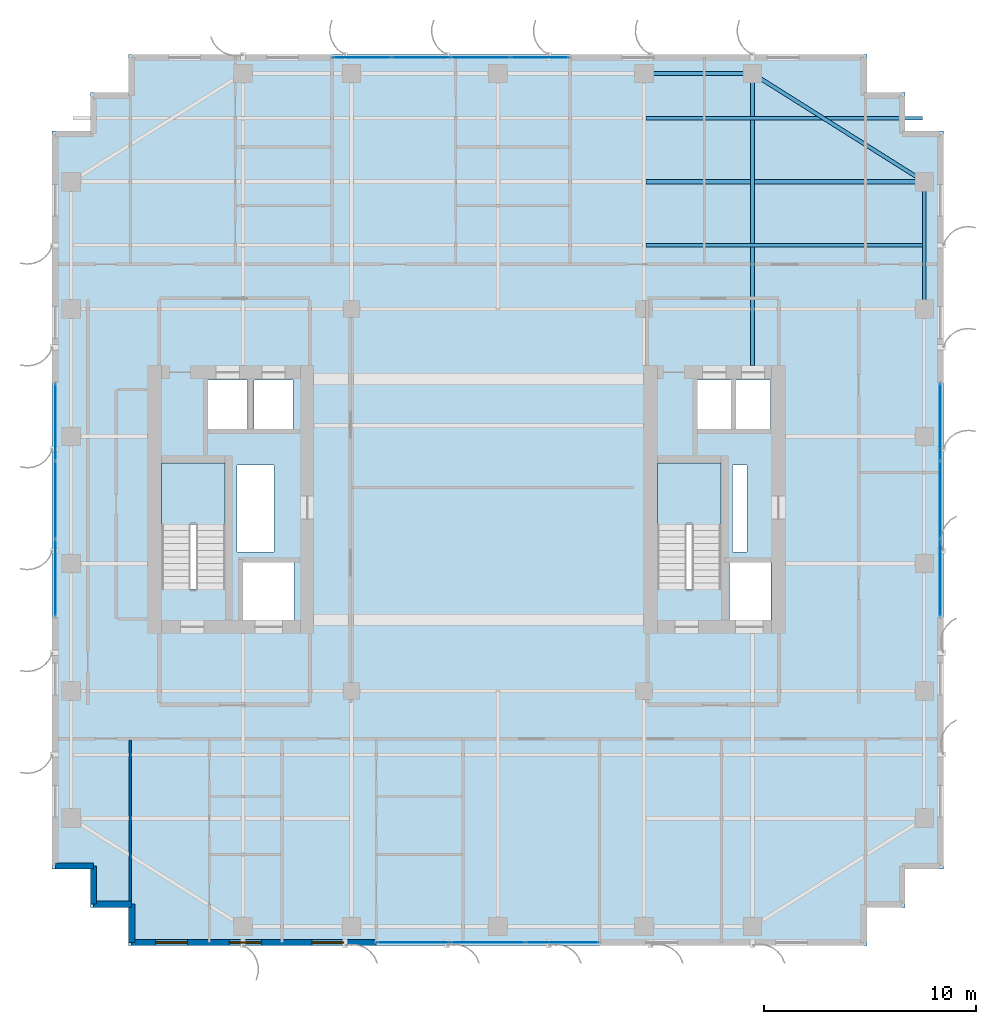
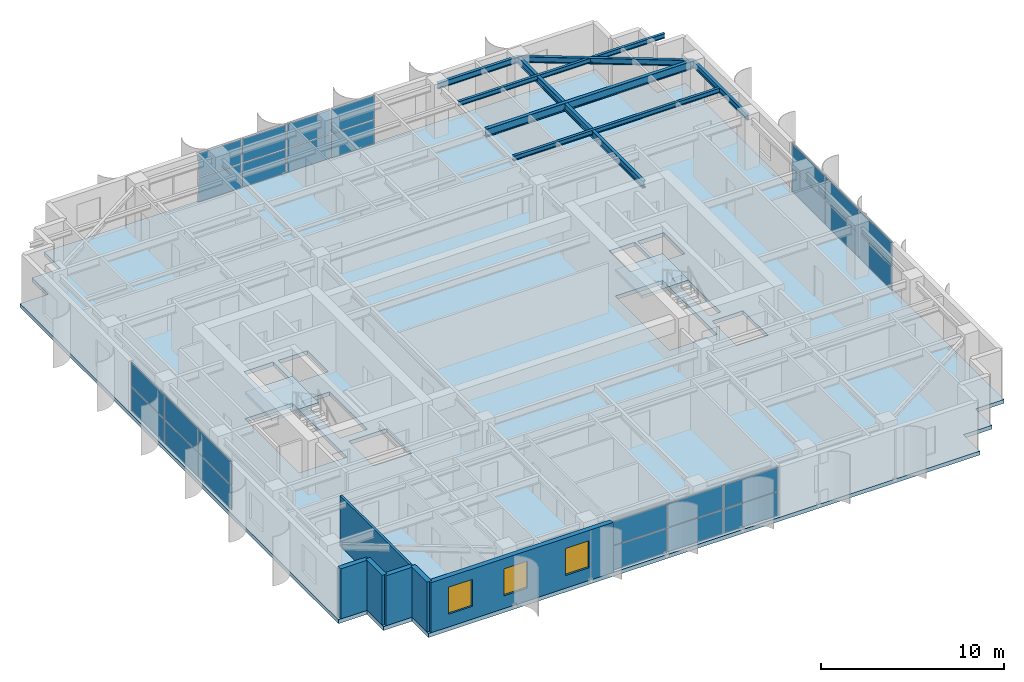
# One storey, part 15 of 22: 26 plates, 7 beams, 6 walls, 3 slabs, 3 windows, 3 openings, 6 elements without a shape of their own.
"""IFC4 building model written with IfcOpenShell, lengths in metres."""

from ifc_helpers import new_model, si_unit, direction, frame, frame_2d, origin, origin_2d, place, context, subcontext, project, spatial, polyline, rectangle, i_section, outline, extrude, source, transform, mapped, material, layer, layer_set, material_profile, profile_set, type_object, element, fill, aggregate, save


model = new_model("IFC4")

# Units and contexts
model_context = context("Model", 3, precision=1e-05, world=origin(), true_north=direction((0.0, 1.0)))
body_context = subcontext(model_context, "Body", "Model", "MODEL_VIEW")
ifc_project = project(units=[si_unit("LENGTHUNIT", "METRE"), si_unit("AREAUNIT", "SQUARE_METRE"), si_unit("VOLUMEUNIT", "CUBIC_METRE"), si_unit("PLANEANGLEUNIT", "RADIAN"), si_unit("MASSUNIT", "GRAM", prefix="KILO")], contexts=[model_context])

# Site, building, storey
site_placement = place(None, origin())
site = spatial("IfcSite", under=ifc_project, at=site_placement, CompositionType="ELEMENT")
building_placement = place(site_placement, origin())
building = spatial("IfcBuilding", under=site, at=building_placement, Name="Khoralis Quay Care Tower", CompositionType="ELEMENT")
storey_placement = place(building_placement, frame((0.0, 0.0, 170.10009765625)))
storey = spatial("IfcBuildingStorey", under=building, at=storey_placement, Name="L44", CompositionType="ELEMENT", Elevation=170.10009765625)

# Beams
ifc_material_1 = material(Name="Steel S355", Category="steel")
ifc_material_profile_1 = material_profile(ifc_material_1, i_section(OverallWidth=0.179931640625, OverallDepth=0.39990234375, WebThickness=0.008544921875, FlangeThickness=0.013427734375, FilletRadius=0.02099609375, at=origin_2d()), Name="Steel S355")
ifc_profile_set_1 = profile_set([ifc_material_profile_1], Name="Steel S355")
beam_type_1 = type_object("IfcBeamType", Name="BM-IPE400", PredefinedType="SPANDREL", material=ifc_profile_set_1)
shared_shape_1 = source(origin(), body_context, "Body", "SweptSolid", [
    extrude(i_section(OverallWidth=0.179931640625, OverallDepth=0.39990234375, WebThickness=0.008544921875, FlangeThickness=0.013427734375, FilletRadius=0.02099609375, at=origin_2d()), origin(), (0.0, 0.0, 1.0), 6.0),
])
beam_1_placement = place(storey_placement, frame((44.10009765625, 30.0, 3.139892578125), z_axis=(0.0, 1.0, 0.0), x_axis=(-1.0, 0.0, 0.0)))
element("IfcBeam", 1, at=beam_1_placement, inside=storey, type_object=beam_type_1, Name="BM-TSP-L44-18", PredefinedType="SPANDREL", context=body_context, shape_type="MappedRepresentation", body=[
    mapped(shared_shape_1, transform((0.0, 0.0, 0.0), scale=1.0)),
])
shared_shape_2 = source(origin(), body_context, "Body", "SweptSolid", [
    extrude(i_section(OverallWidth=0.179931640625, OverallDepth=0.39990234375, WebThickness=0.008544921875, FlangeThickness=0.013427734375, FilletRadius=0.02099609375, at=origin_2d()), origin(), (0.0, 0.0, 1.0), 5.10009765625),
])
beam_2_placement = place(storey_placement, frame((30.89990234375, 41.10009765625, 3.139892578125), z_axis=(1.0, 0.0, 0.0), x_axis=(0.0, 1.0, 0.0)))
element("IfcBeam", 2, at=beam_2_placement, inside=storey, type_object=beam_type_1, Name="BM-TSP-L44-08", PredefinedType="SPANDREL", context=body_context, shape_type="MappedRepresentation", body=[
    mapped(shared_shape_2, transform((0.0, 0.0, 0.0), scale=1.0)),
])
shared_shape_3 = source(origin(), body_context, "Body", "SweptSolid", [
    extrude(i_section(OverallWidth=0.179931640625, OverallDepth=0.39990234375, WebThickness=0.008544921875, FlangeThickness=0.013427734375, FilletRadius=0.02099609375, at=origin_2d()), origin(), (0.0, 0.0, 1.0), 9.572021484375),
])
beam_3_placement = place(storey_placement, frame((36.0, 41.10009765625, 3.139892578125), z_axis=(0.846231136359, -0.532815975602, 0.0), x_axis=(0.532815975602, 0.846231136359, 0.0)))
element("IfcBeam", 3, at=beam_3_placement, inside=storey, type_object=beam_type_1, Name="BM-TCR-L44-22", PredefinedType="SPANDREL", context=body_context, shape_type="MappedRepresentation", body=[
    mapped(shared_shape_3, transform((0.0, 0.0, 0.0), scale=1.0)),
])
ifc_material_profile_2 = material_profile(ifc_material_1, i_section(OverallWidth=0.208984375, OverallDepth=0.532958984375, WebThickness=0.01025390625, FlangeThickness=0.015625, FilletRadius=0.01611328125, at=origin_2d()), Name="Steel S355")
ifc_profile_set_2 = profile_set([ifc_material_profile_2], Name="Steel S355")
beam_type_2 = type_object("IfcBeamType", Name="BM-W530X92", PredefinedType="BEAM", material=ifc_profile_set_2)
shared_shape_4 = source(origin(), body_context, "Body", "SweptSolid", [
    extrude(i_section(OverallWidth=0.208984375, OverallDepth=0.532958984375, WebThickness=0.01025390625, FlangeThickness=0.015625, FilletRadius=0.01611328125, at=origin_2d()), origin(), (0.0, 0.0, 1.0), 13.1162109375),
])
beam_4_placement = place(storey_placement, frame((30.98388671875, 36.0, 3.073486328125), z_axis=(1.0, 0.0, 0.0), x_axis=(0.0, 1.0, 0.0)))
element("IfcBeam", 4, at=beam_4_placement, inside=storey, type_object=beam_type_2, Name="BM-TGXE-L44-360", PredefinedType="BEAM", context=body_context, shape_type="MappedRepresentation", body=[
    mapped(shared_shape_4, transform((0.0, 0.0, 0.0), scale=1.0)),
])
ifc_material_profile_3 = material_profile(ifc_material_1, i_section(OverallWidth=0.19189453125, OverallDepth=0.462890625, WebThickness=0.010498046875, FlangeThickness=0.017578125, FilletRadius=0.014892578125, at=origin_2d()), Name="Steel S355")
ifc_profile_set_3 = profile_set([ifc_material_profile_3], Name="Steel S355")
beam_type_3 = type_object("IfcBeamType", Name="BM-W460X89", PredefinedType="BEAM", material=ifc_profile_set_3)
shared_shape_5 = source(origin(), body_context, "Body", "SweptSolid", [
    extrude(i_section(OverallWidth=0.19189453125, OverallDepth=0.462890625, WebThickness=0.010498046875, FlangeThickness=0.017578125, FilletRadius=0.014892578125, at=origin_2d()), origin(), (0.0, 0.0, 1.0), 13.752197265625),
])
beam_5_placement = place(storey_placement, frame((36.0, 27.347900390625, 3.1083984375), z_axis=(0.0, 1.0, 0.0), x_axis=(-1.0, 0.0, 0.0)))
element("IfcBeam", 5, at=beam_5_placement, inside=storey, type_object=beam_type_3, Name="BM-TGYN-L44-360", PredefinedType="BEAM", context=body_context, shape_type="MappedRepresentation", body=[
    mapped(shared_shape_5, transform((0.0, 0.0, 0.0), scale=1.0)),
])
ifc_material_profile_4 = material_profile(ifc_material_1, i_section(OverallWidth=0.1650390625, OverallDepth=0.31005859375, WebThickness=0.005859375, FlangeThickness=0.009765625, FilletRadius=0.011962890625, at=origin_2d()), Name="Steel S355")
ifc_profile_set_4 = profile_set([ifc_material_profile_4], Name="Steel S355")
beam_type_4 = type_object("IfcBeamType", Name="BM-W310X39", PredefinedType="JOIST", material=ifc_profile_set_4)
shared_shape_6 = source(origin(), body_context, "Body", "SweptSolid", [
    extrude(i_section(OverallWidth=0.1650390625, OverallDepth=0.31005859375, WebThickness=0.005859375, FlangeThickness=0.009765625, FilletRadius=0.011962890625, at=origin_2d()), origin(), (0.0, 0.0, 1.0), 13.0400390625),
])
for number, where, z_axis, x_axis, name in (
    (6, (30.98388671875, 33.0, 3.184814453125), (1.0, 0.0, 0.0), (0.0, 1.0, 0.0), "BM-TJS-L44-27"),
    (7, (30.98388671875, 39.0, 3.184814453125), (1.0, 0.0, 0.0), (0.0, 1.0, 0.0), "BM-TJS-L44-30"),
):
    element("IfcBeam", number, at=place(storey_placement, frame(where, z_axis=z_axis, x_axis=x_axis)), inside=storey, type_object=beam_type_4, Name=name, PredefinedType="JOIST", context=body_context, shape_type="MappedRepresentation", body=[
        mapped(shared_shape_6, transform((0.0, 0.0, 0.0), scale=1.0)),
    ])

# Stair, slab
ifc_material_2 = material(Name="Precast concrete C45/55", Category="concrete")
stair_type = type_object("IfcStairType", Name="ST-TWR-DOGLEG-1400", PredefinedType="HALF_TURN_STAIR", material=ifc_material_2)
stair_1_placement = place(storey_placement, origin())
stair_1 = element("IfcStair", 8, at=stair_1_placement, inside=storey, type_object=stair_type, Name="L44 West Core Exit Stair ST-T1", PredefinedType="HALF_TURN_STAIR")
ifc_layer_1 = layer(ifc_material_2, 0.199951171875)
ifc_layer_set_1 = layer_set([ifc_layer_1], Name="Precast concrete C45/55")
slab_type_1 = type_object("IfcSlabType", Name="SLB-LANDING-200", PredefinedType="LANDING", material=ifc_layer_set_1)
slab_1_placement = place(storey_placement, frame((0.0, 0.0, 1.599853515625)))
slab_1 = element("IfcSlab", 9, at=slab_1_placement, type_object=slab_type_1, Name="ST-T1 landing 1", PredefinedType="LANDING", context=body_context, shape_type="SweptSolid", body=[
    extrude(outline(polyline([(11.14990234375, 19.840087890625), (11.14990234375, 22.75), (8.14990234375, 22.75), (8.14990234375, 19.840087890625), (11.14990234375, 19.840087890625)])), origin(), (0.0, 0.0, 1.0), 0.199951171875),
])
aggregate(stair_1, [slab_1])

stair_2_placement = place(storey_placement, origin())
stair_2 = element("IfcStair", 10, at=stair_2_placement, inside=storey, type_object=stair_type, Name="L44 East Core Exit Stair ST-T2", PredefinedType="HALF_TURN_STAIR")
slab_2_placement = place(storey_placement, frame((0.0, 0.0, 1.599853515625)))
slab_2 = element("IfcSlab", 11, at=slab_2_placement, type_object=slab_type_1, Name="ST-T2 landing 1", PredefinedType="LANDING", context=body_context, shape_type="SweptSolid", body=[
    extrude(outline(polyline([(34.52001953125, 19.840087890625), (34.52001953125, 22.75), (31.52001953125, 22.75), (31.52001953125, 19.840087890625), (34.52001953125, 19.840087890625)])), origin(), (0.0, 0.0, 1.0), 0.199951171875),
])
aggregate(stair_2, [slab_2])

# Slab
ifc_material_3 = material(Name="Concrete C40/50", Category="concrete")
ifc_layer_2 = layer(ifc_material_3, 0.260009765625)
ifc_layer_set_2 = layer_set([ifc_layer_2], Name="Concrete C40/50")
slab_type_2 = type_object("IfcSlabType", Name="SLB-TWR-260", PredefinedType="FLOOR", material=ifc_layer_set_2)
slab_3_placement = place(storey_placement, frame((0.0, 0.0, -0.260009765625)))
element("IfcSlab", 12, at=slab_3_placement, inside=storey, type_object=slab_type_2, Name="Tower Floor Slab L44", PredefinedType="FLOOR", context=body_context, shape_type="SweptSolid", body=[
    extrude(outline(polyline([(6.60009765625, 0.0), (41.39990234375, 0.0), (41.39990234375, 1.800048828125), (43.199951171875, 1.800048828125), (43.199951171875, 3.60009765625), (45.0, 3.60009765625), (45.0, 38.39990234375), (43.199951171875, 38.39990234375), (43.199951171875, 40.199951171875), (41.39990234375, 40.199951171875), (41.39990234375, 42.0), (6.60009765625, 42.0), (6.60009765625, 40.199951171875), (4.800048828125, 40.199951171875), (4.800048828125, 38.39990234375), (3.0, 38.39990234375), (3.0, 3.60009765625), (4.800048828125, 3.60009765625), (4.800048828125, 1.800048828125), (6.60009765625, 1.800048828125), (6.60009765625, 0.0)]), holes=[polyline([(11.14990234375, 16.800048828125), (11.14990234375, 22.75), (8.14990234375, 22.75), (8.14990234375, 16.800048828125), (11.14990234375, 16.800048828125)]), polyline([(34.52001953125, 16.800048828125), (34.52001953125, 22.75), (31.52001953125, 22.75), (31.52001953125, 16.800048828125), (34.52001953125, 16.800048828125)]), polyline([(12.0, 15.35009765625), (14.39990234375, 15.35009765625), (14.39990234375, 18.050048828125), (12.0, 18.050048828125), (12.0, 15.35009765625)]), polyline([(34.919921875, 15.35009765625), (36.8798828125, 15.35009765625), (36.8798828125, 18.050048828125), (34.919921875, 18.050048828125), (34.919921875, 15.35009765625)]), polyline([(10.35009765625, 24.35009765625), (12.199951171875, 24.35009765625), (12.199951171875, 26.64990234375), (10.35009765625, 26.64990234375), (10.35009765625, 24.35009765625)]), polyline([(33.3798828125, 24.35009765625), (35.030029296875, 24.35009765625), (35.030029296875, 26.64990234375), (33.3798828125, 26.64990234375), (33.3798828125, 24.35009765625)]), polyline([(12.5, 24.35009765625), (14.35009765625, 24.35009765625), (14.35009765625, 26.64990234375), (12.5, 26.64990234375), (12.5, 24.35009765625)]), polyline([(35.199951171875, 24.35009765625), (36.85009765625, 24.35009765625), (36.85009765625, 26.64990234375), (35.199951171875, 26.64990234375), (35.199951171875, 24.35009765625)]), polyline([(11.719970703125, 18.550048828125), (13.449951171875, 18.550048828125), (13.449951171875, 22.64990234375), (11.719970703125, 22.64990234375), (11.719970703125, 18.550048828125)]), polyline([(35.050048828125, 18.550048828125), (35.75, 18.550048828125), (35.75, 22.64990234375), (35.050048828125, 22.64990234375), (35.050048828125, 18.550048828125)])]), origin(), (0.0, 0.0, 1.0), 0.260009765625),
])

# Curtain wall, plates
ifc_material_4 = material(Name="Pale anodised aluminium", Category="aluminium")
ifc_layer_3 = layer(ifc_material_4, 0.159912109375)
ifc_layer_set_3 = layer_set([ifc_layer_3], Name="Pale anodised aluminium")
curtain_wall_type = type_object("IfcCurtainWallType", Name="CW-SYS-Z3", PredefinedType="NOTDEFINED", material=ifc_layer_set_3)
curtain_wall_1_placement = place(storey_placement, origin())
curtain_wall_1 = element("IfcCurtainWall", 13, at=curtain_wall_1_placement, inside=storey, type_object=curtain_wall_type, Name="L44 Unitised Curtain Wall CW-L44-P1-E5", PredefinedType="NOTDEFINED")
ifc_material_5 = material(Name="Low-E solar-control double glazing", Category="glass")
ifc_layer_4 = layer(ifc_material_5, 0.031982421875)
ifc_layer_set_4 = layer_set([ifc_layer_4], Name="Low-E solar-control double glazing")
plate_type = type_object("IfcPlateType", Name="PNL-VIS-32", PredefinedType="CURTAIN_PANEL", material=ifc_layer_set_4)
shared_shape_7 = source(origin(), body_context, "Body", "SweptSolid", [
    extrude(rectangle(XDim=3.590087890625, YDim=0.028076171875, at=origin_2d()), origin(), (0.0, 0.0, 1.0), 1.580078125),
])
plate_1_placement = place(storey_placement, frame((44.85009765625, 17.3349609375, 0.059814453125), z_axis=(0.0, 0.0, 1.0), x_axis=(0.0, 1.0, 0.0)))
plate_1 = element("IfcPlate", 14, at=plate_1_placement, type_object=plate_type, Name="CW3 panel 1.1", PredefinedType="CURTAIN_PANEL", context=body_context, shape_type="MappedRepresentation", body=[
    mapped(shared_shape_7, transform((0.0, 0.0, 0.0), scale=1.0)),
])
plate_2_placement = place(storey_placement, frame((44.85009765625, 17.3349609375, 1.699951171875), z_axis=(0.0, 0.0, 1.0), x_axis=(0.0, 1.0, 0.0)))
plate_2 = element("IfcPlate", 15, at=plate_2_placement, type_object=plate_type, Name="CW3 panel 1.2", PredefinedType="CURTAIN_PANEL", context=body_context, shape_type="MappedRepresentation", body=[
    mapped(shared_shape_7, transform((0.0, 0.0, 0.0), scale=1.0)),
])
plate_3_placement = place(storey_placement, frame((44.85009765625, 24.6650390625, 0.059814453125), z_axis=(0.0, 0.0, 1.0), x_axis=(0.0, 1.0, 0.0)))
plate_3 = element("IfcPlate", 16, at=plate_3_placement, type_object=plate_type, Name="CW3 panel 3.1", PredefinedType="CURTAIN_PANEL", context=body_context, shape_type="MappedRepresentation", body=[
    mapped(shared_shape_7, transform((0.0, 0.0, 0.0), scale=1.0)),
])
plate_4_placement = place(storey_placement, frame((44.85009765625, 24.6650390625, 1.699951171875), z_axis=(0.0, 0.0, 1.0), x_axis=(0.0, 1.0, 0.0)))
plate_4 = element("IfcPlate", 17, at=plate_4_placement, type_object=plate_type, Name="CW3 panel 3.2", PredefinedType="CURTAIN_PANEL", context=body_context, shape_type="MappedRepresentation", body=[
    mapped(shared_shape_7, transform((0.0, 0.0, 0.0), scale=1.0)),
])

curtain_wall_2_placement = place(storey_placement, origin())
curtain_wall_2 = element("IfcCurtainWall", 18, at=curtain_wall_2_placement, inside=storey, type_object=curtain_wall_type, Name="L44 Unitised Curtain Wall CW-L44-P1-E15", PredefinedType="NOTDEFINED")
plate_5_placement = place(storey_placement, frame((3.14990234375, 24.6650390625, 0.059814453125), z_axis=(0.0, 0.0, 1.0), x_axis=(0.0, -1.0, 0.0)))
plate_5 = element("IfcPlate", 19, at=plate_5_placement, type_object=plate_type, Name="CW3 panel 1.1", PredefinedType="CURTAIN_PANEL", context=body_context, shape_type="MappedRepresentation", body=[
    mapped(shared_shape_7, transform((0.0, 0.0, 0.0), scale=1.0)),
])
plate_6_placement = place(storey_placement, frame((3.14990234375, 24.6650390625, 1.699951171875), z_axis=(0.0, 0.0, 1.0), x_axis=(0.0, -1.0, 0.0)))
plate_6 = element("IfcPlate", 20, at=plate_6_placement, type_object=plate_type, Name="CW3 panel 1.2", PredefinedType="CURTAIN_PANEL", context=body_context, shape_type="MappedRepresentation", body=[
    mapped(shared_shape_7, transform((0.0, 0.0, 0.0), scale=1.0)),
])
plate_7_placement = place(storey_placement, frame((3.14990234375, 17.3349609375, 0.059814453125), z_axis=(0.0, 0.0, 1.0), x_axis=(0.0, -1.0, 0.0)))
plate_7 = element("IfcPlate", 21, at=plate_7_placement, type_object=plate_type, Name="CW3 panel 3.1", PredefinedType="CURTAIN_PANEL", context=body_context, shape_type="MappedRepresentation", body=[
    mapped(shared_shape_7, transform((0.0, 0.0, 0.0), scale=1.0)),
])
plate_8_placement = place(storey_placement, frame((3.14990234375, 17.3349609375, 1.699951171875), z_axis=(0.0, 0.0, 1.0), x_axis=(0.0, -1.0, 0.0)))
plate_8 = element("IfcPlate", 22, at=plate_8_placement, type_object=plate_type, Name="CW3 panel 3.2", PredefinedType="CURTAIN_PANEL", context=body_context, shape_type="MappedRepresentation", body=[
    mapped(shared_shape_7, transform((0.0, 0.0, 0.0), scale=1.0)),
])

# Plate
shared_shape_8 = source(origin(), body_context, "Body", "SweptSolid", [
    extrude(rectangle(XDim=3.6201171875, YDim=0.028076171875, at=origin_2d()), origin(), (0.0, 0.0, 1.0), 1.580078125),
])
plate_9_placement = place(storey_placement, frame((44.85009765625, 21.0, 0.059814453125), z_axis=(0.0, 0.0, 1.0), x_axis=(0.0, 1.0, 0.0)))
plate_9 = element("IfcPlate", 23, at=plate_9_placement, type_object=plate_type, Name="CW3 panel 2.1", PredefinedType="CURTAIN_PANEL", context=body_context, shape_type="MappedRepresentation", body=[
    mapped(shared_shape_8, transform((0.0, 0.0, 0.0), scale=1.0)),
])

plate_10_placement = place(storey_placement, frame((44.85009765625, 21.0, 1.699951171875), z_axis=(0.0, 0.0, 1.0), x_axis=(0.0, 1.0, 0.0)))
plate_10 = element("IfcPlate", 24, at=plate_10_placement, type_object=plate_type, Name="CW3 panel 2.2", PredefinedType="CURTAIN_PANEL", context=body_context, shape_type="MappedRepresentation", body=[
    mapped(shared_shape_8, transform((0.0, 0.0, 0.0), scale=1.0)),
])

aggregate(curtain_wall_1, [plate_1, plate_2, plate_9, plate_10, plate_3, plate_4])

plate_11_placement = place(storey_placement, frame((3.14990234375, 21.0, 0.059814453125), z_axis=(0.0, 0.0, 1.0), x_axis=(0.0, -1.0, 0.0)))
plate_11 = element("IfcPlate", 25, at=plate_11_placement, type_object=plate_type, Name="CW3 panel 2.1", PredefinedType="CURTAIN_PANEL", context=body_context, shape_type="MappedRepresentation", body=[
    mapped(shared_shape_8, transform((0.0, 0.0, 0.0), scale=1.0)),
])

plate_12_placement = place(storey_placement, frame((3.14990234375, 21.0, 1.699951171875), z_axis=(0.0, 0.0, 1.0), x_axis=(0.0, -1.0, 0.0)))
plate_12 = element("IfcPlate", 26, at=plate_12_placement, type_object=plate_type, Name="CW3 panel 2.2", PredefinedType="CURTAIN_PANEL", context=body_context, shape_type="MappedRepresentation", body=[
    mapped(shared_shape_8, transform((0.0, 0.0, 0.0), scale=1.0)),
])

aggregate(curtain_wall_2, [plate_5, plate_6, plate_11, plate_12, plate_7, plate_8])

# Curtain wall, plates
curtain_wall_3_placement = place(storey_placement, origin())
curtain_wall_3 = element("IfcCurtainWall", 27, at=curtain_wall_3_placement, inside=storey, type_object=curtain_wall_type, Name="L44 Unitised Curtain Wall CW-L44-P1-E0", PredefinedType="NOTDEFINED")
shared_shape_9 = source(origin(), body_context, "Body", "SweptSolid", [
    extrude(rectangle(XDim=3.42138671875, YDim=0.028076171875, at=origin_2d()), origin(), (0.0, 0.0, 1.0), 1.580078125),
])
plate_13_placement = place(storey_placement, frame((20.03662109375, 0.14990234375, 0.059814453125), z_axis=(0.0, 0.0, 1.0), x_axis=(1.0, 0.0, 0.0)))
plate_13 = element("IfcPlate", 28, at=plate_13_placement, type_object=plate_type, Name="CW3 panel 1.1", PredefinedType="CURTAIN_PANEL", context=body_context, shape_type="MappedRepresentation", body=[
    mapped(shared_shape_9, transform((0.0, 0.0, 0.0), scale=1.0)),
])
plate_14_placement = place(storey_placement, frame((20.03662109375, 0.14990234375, 1.699951171875), z_axis=(0.0, 0.0, 1.0), x_axis=(1.0, 0.0, 0.0)))
plate_14 = element("IfcPlate", 29, at=plate_14_placement, type_object=plate_type, Name="CW3 panel 1.2", PredefinedType="CURTAIN_PANEL", context=body_context, shape_type="MappedRepresentation", body=[
    mapped(shared_shape_9, transform((0.0, 0.0, 0.0), scale=1.0)),
])
plate_15_placement = place(storey_placement, frame((27.029296875, 0.14990234375, 0.059814453125), z_axis=(0.0, 0.0, 1.0), x_axis=(1.0, 0.0, 0.0)))
plate_15 = element("IfcPlate", 30, at=plate_15_placement, type_object=plate_type, Name="CW3 panel 3.1", PredefinedType="CURTAIN_PANEL", context=body_context, shape_type="MappedRepresentation", body=[
    mapped(shared_shape_9, transform((0.0, 0.0, 0.0), scale=1.0)),
])
plate_16_placement = place(storey_placement, frame((27.029296875, 0.14990234375, 1.699951171875), z_axis=(0.0, 0.0, 1.0), x_axis=(1.0, 0.0, 0.0)))
plate_16 = element("IfcPlate", 31, at=plate_16_placement, type_object=plate_type, Name="CW3 panel 3.2", PredefinedType="CURTAIN_PANEL", context=body_context, shape_type="MappedRepresentation", body=[
    mapped(shared_shape_9, transform((0.0, 0.0, 0.0), scale=1.0)),
])
shared_shape_10 = source(origin(), body_context, "Body", "SweptSolid", [
    extrude(rectangle(XDim=3.451416015625, YDim=0.028076171875, at=origin_2d()), origin(), (0.0, 0.0, 1.0), 1.580078125),
])
plate_17_placement = place(storey_placement, frame((23.532958984375, 0.14990234375, 0.059814453125), z_axis=(0.0, 0.0, 1.0), x_axis=(1.0, 0.0, 0.0)))
plate_17 = element("IfcPlate", 32, at=plate_17_placement, type_object=plate_type, Name="CW3 panel 2.1", PredefinedType="CURTAIN_PANEL", context=body_context, shape_type="MappedRepresentation", body=[
    mapped(shared_shape_10, transform((0.0, 0.0, 0.0), scale=1.0)),
])
plate_18_placement = place(storey_placement, frame((23.532958984375, 0.14990234375, 1.699951171875), z_axis=(0.0, 0.0, 1.0), x_axis=(1.0, 0.0, 0.0)))
plate_18 = element("IfcPlate", 33, at=plate_18_placement, type_object=plate_type, Name="CW3 panel 2.2", PredefinedType="CURTAIN_PANEL", context=body_context, shape_type="MappedRepresentation", body=[
    mapped(shared_shape_10, transform((0.0, 0.0, 0.0), scale=1.0)),
])
aggregate(curtain_wall_3, [plate_13, plate_14, plate_17, plate_18, plate_15, plate_16])

curtain_wall_4_placement = place(storey_placement, origin())
curtain_wall_4 = element("IfcCurtainWall", 34, at=curtain_wall_4_placement, inside=storey, type_object=curtain_wall_type, Name="L44 Unitised Curtain Wall CW-L44-P1-E10", PredefinedType="NOTDEFINED")
shared_shape_11 = source(origin(), body_context, "Body", "SweptSolid", [
    extrude(rectangle(XDim=2.71240234375, YDim=0.028076171875, at=origin_2d()), origin(), (0.0, 0.0, 1.0), 1.580078125),
])
plate_19_placement = place(storey_placement, frame((25.983642578125, 41.85009765625, 0.059814453125), z_axis=(0.0, 0.0, 1.0), x_axis=(-1.0, 0.0, 0.0)))
plate_19 = element("IfcPlate", 35, at=plate_19_placement, type_object=plate_type, Name="CW3 panel 1.1", PredefinedType="CURTAIN_PANEL", context=body_context, shape_type="MappedRepresentation", body=[
    mapped(shared_shape_11, transform((0.0, 0.0, 0.0), scale=1.0)),
])
plate_20_placement = place(storey_placement, frame((25.983642578125, 41.85009765625, 1.699951171875), z_axis=(0.0, 0.0, 1.0), x_axis=(-1.0, 0.0, 0.0)))
plate_20 = element("IfcPlate", 36, at=plate_20_placement, type_object=plate_type, Name="CW3 panel 1.2", PredefinedType="CURTAIN_PANEL", context=body_context, shape_type="MappedRepresentation", body=[
    mapped(shared_shape_11, transform((0.0, 0.0, 0.0), scale=1.0)),
])
plate_21_placement = place(storey_placement, frame((17.606201171875, 41.85009765625, 0.059814453125), z_axis=(0.0, 0.0, 1.0), x_axis=(-1.0, 0.0, 0.0)))
plate_21 = element("IfcPlate", 37, at=plate_21_placement, type_object=plate_type, Name="CW3 panel 4.1", PredefinedType="CURTAIN_PANEL", context=body_context, shape_type="MappedRepresentation", body=[
    mapped(shared_shape_11, transform((0.0, 0.0, 0.0), scale=1.0)),
])
plate_22_placement = place(storey_placement, frame((17.606201171875, 41.85009765625, 1.699951171875), z_axis=(0.0, 0.0, 1.0), x_axis=(-1.0, 0.0, 0.0)))
plate_22 = element("IfcPlate", 38, at=plate_22_placement, type_object=plate_type, Name="CW3 panel 4.2", PredefinedType="CURTAIN_PANEL", context=body_context, shape_type="MappedRepresentation", body=[
    mapped(shared_shape_11, transform((0.0, 0.0, 0.0), scale=1.0)),
])
shared_shape_12 = source(origin(), body_context, "Body", "SweptSolid", [
    extrude(rectangle(XDim=2.742431640625, YDim=0.028076171875, at=origin_2d()), origin(), (0.0, 0.0, 1.0), 1.580078125),
])
plate_23_placement = place(storey_placement, frame((23.1962890625, 41.85009765625, 0.059814453125), z_axis=(0.0, 0.0, 1.0), x_axis=(-1.0, 0.0, 0.0)))
plate_23 = element("IfcPlate", 39, at=plate_23_placement, type_object=plate_type, Name="CW3 panel 2.1", PredefinedType="CURTAIN_PANEL", context=body_context, shape_type="MappedRepresentation", body=[
    mapped(shared_shape_12, transform((0.0, 0.0, 0.0), scale=1.0)),
])
plate_24_placement = place(storey_placement, frame((23.1962890625, 41.85009765625, 1.699951171875), z_axis=(0.0, 0.0, 1.0), x_axis=(-1.0, 0.0, 0.0)))
plate_24 = element("IfcPlate", 40, at=plate_24_placement, type_object=plate_type, Name="CW3 panel 2.2", PredefinedType="CURTAIN_PANEL", context=body_context, shape_type="MappedRepresentation", body=[
    mapped(shared_shape_12, transform((0.0, 0.0, 0.0), scale=1.0)),
])
plate_25_placement = place(storey_placement, frame((20.393798828125, 41.85009765625, 0.059814453125), z_axis=(0.0, 0.0, 1.0), x_axis=(-1.0, 0.0, 0.0)))
plate_25 = element("IfcPlate", 41, at=plate_25_placement, type_object=plate_type, Name="CW3 panel 3.1", PredefinedType="CURTAIN_PANEL", context=body_context, shape_type="MappedRepresentation", body=[
    mapped(shared_shape_12, transform((0.0, 0.0, 0.0), scale=1.0)),
])
plate_26_placement = place(storey_placement, frame((20.393798828125, 41.85009765625, 1.699951171875), z_axis=(0.0, 0.0, 1.0), x_axis=(-1.0, 0.0, 0.0)))
plate_26 = element("IfcPlate", 42, at=plate_26_placement, type_object=plate_type, Name="CW3 panel 3.2", PredefinedType="CURTAIN_PANEL", context=body_context, shape_type="MappedRepresentation", body=[
    mapped(shared_shape_12, transform((0.0, 0.0, 0.0), scale=1.0)),
])
aggregate(curtain_wall_4, [plate_19, plate_20, plate_23, plate_24, plate_25, plate_26, plate_21, plate_22])

# Wall, openings, windows
ifc_layer_5 = layer(ifc_material_2, 0.300048828125)
ifc_layer_set_5 = layer_set([ifc_layer_5], Name="Precast concrete C45/55")
wall_type_1 = type_object("IfcWallType", Name="WL-EXT-REF-300", PredefinedType="SOLIDWALL", material=ifc_layer_set_5)
wall_1_placement = place(storey_placement, frame((6.75, 0.14990234375, 0.0), z_axis=(0.0, 0.0, 1.0), x_axis=(1.0, 0.0, 0.0)))
wall_1 = element("IfcWall", 43, at=wall_1_placement, inside=storey, type_object=wall_type_1, Name="L44 External Facade Wall WL-EXT-L44-P1-E0A", PredefinedType="SOLIDWALL", context=body_context, shape_type="SweptSolid", body=[
    extrude(rectangle(XDim=11.51611328125, YDim=0.300048828125, at=frame_2d((5.758056640625, 0.0))), origin(), (0.0, 0.0, 1.0), 3.33984375),
])
opening_1_placement = place(wall_1_placement, frame((1.12158203125, 0.0, 0.85009765625)))
opening_1 = element("IfcOpeningElement", 44, at=opening_1_placement, cuts=wall_1, Name="Opening W3", PredefinedType="OPENING", context=body_context, shape_type="SweptSolid", body=[
    extrude(rectangle(XDim=1.5, YDim=1.800048828125, at=frame_2d((0.75, 0.89990234375))), frame((0.0, 0.16015625, 0.0), z_axis=(0.0, -1.0, 0.0), x_axis=(1.0, 0.0, 0.0)), (0.0, 0.0, 1.0), 0.320068359375),
])
opening_2_placement = place(wall_1_placement, frame((4.6064453125, 0.0, 0.85009765625)))
opening_2 = element("IfcOpeningElement", 45, at=opening_2_placement, cuts=wall_1, Name="Opening W3", PredefinedType="OPENING", context=body_context, shape_type="SweptSolid", body=[
    extrude(rectangle(XDim=1.5, YDim=1.800048828125, at=frame_2d((0.75, 0.89990234375))), frame((0.0, 0.16015625, 0.0), z_axis=(0.0, -1.0, 0.0), x_axis=(1.0, 0.0, 0.0)), (0.0, 0.0, 1.0), 0.320068359375),
])
opening_3_placement = place(wall_1_placement, frame((8.492919921875, 0.0, 0.85009765625)))
opening_3 = element("IfcOpeningElement", 46, at=opening_3_placement, cuts=wall_1, Name="Opening W3", PredefinedType="OPENING", context=body_context, shape_type="SweptSolid", body=[
    extrude(rectangle(XDim=1.5, YDim=1.800048828125, at=frame_2d((0.75, 0.89990234375))), frame((0.0, 0.16015625, 0.0), z_axis=(0.0, -1.0, 0.0), x_axis=(1.0, 0.0, 0.0)), (0.0, 0.0, 1.0), 0.320068359375),
])
window_type = type_object("IfcWindowType", Name="WN-CLIN-1500X1800", PartitioningType="SINGLE_PANEL", PredefinedType="WINDOW", material=ifc_material_5)
shared_shape_13 = source(origin(), body_context, "Body", "SweptSolid", [
    extrude(rectangle(XDim=1.5, YDim=1.800048828125, at=frame_2d((0.75, 0.89990234375))), frame((0.0, 0.030029296875, 0.0), z_axis=(0.0, -1.0, 0.0), x_axis=(1.0, 0.0, 0.0)), (0.0, 0.0, 1.0), 0.06005859375),
])
window_1_placement = place(opening_1_placement, origin())
window_1 = element("IfcWindow", 47, at=window_1_placement, inside=storey, type_object=window_type, Name="WN-L44-P1-E0A Facade Window 01", OverallHeight=1.800048828125, OverallWidth=1.5, PartitioningType="SINGLE_PANEL", PredefinedType="WINDOW", context=body_context, shape_type="MappedRepresentation", body=[
    mapped(shared_shape_13, transform((0.0, 0.0, 0.0), scale=1.0)),
])
fill(opening_1, window_1)
window_2_placement = place(opening_2_placement, origin())
window_2 = element("IfcWindow", 48, at=window_2_placement, inside=storey, type_object=window_type, Name="WN-L44-P1-E0A Facade Window 02", OverallHeight=1.800048828125, OverallWidth=1.5, PartitioningType="SINGLE_PANEL", PredefinedType="WINDOW", context=body_context, shape_type="MappedRepresentation", body=[
    mapped(shared_shape_13, transform((0.0, 0.0, 0.0), scale=1.0)),
])
fill(opening_2, window_2)
window_3_placement = place(opening_3_placement, origin())
window_3 = element("IfcWindow", 49, at=window_3_placement, inside=storey, type_object=window_type, Name="WN-L44-P1-E0A Facade Window 03", OverallHeight=1.800048828125, OverallWidth=1.5, PartitioningType="SINGLE_PANEL", PredefinedType="WINDOW", context=body_context, shape_type="MappedRepresentation", body=[
    mapped(shared_shape_13, transform((0.0, 0.0, 0.0), scale=1.0)),
])
fill(opening_3, window_3)

# Walls
for number, where, z_axis, x_axis, name in (
    (50, (3.14990234375, 3.75, 0.0), (0.0, 0.0, 1.0), (1.0, 0.0, 0.0), "L44 External Facade Wall WL-EXT-L44-P1-C16"),
    (51, (4.949951171875, 3.75, 0.0), (0.0, 0.0, 1.0), (0.0, -1.0, 0.0), "L44 External Facade Wall WL-EXT-L44-P1-C17"),
    (52, (4.949951171875, 1.949951171875, 0.0), (0.0, 0.0, 1.0), (1.0, 0.0, 0.0), "L44 External Facade Wall WL-EXT-L44-P1-C18"),
    (53, (6.75, 1.949951171875, 0.0), (0.0, 0.0, 1.0), (0.0, -1.0, 0.0), "L44 External Facade Wall WL-EXT-L44-P1-C19"),
):
    element("IfcWall", number, at=place(storey_placement, frame(where, z_axis=z_axis, x_axis=x_axis)), inside=storey, type_object=wall_type_1, Name=name, PredefinedType="SOLIDWALL", context=body_context, shape_type="SweptSolid", body=[
        extrude(rectangle(XDim=1.800048828125, YDim=0.300048828125, at=frame_2d((0.89990234375, 0.0))), origin(), (0.0, 0.0, 1.0), 3.33984375),
    ])
ifc_material_6 = material(Name="Gypsum plasterboard on acoustic metal stud")
ifc_layer_6 = layer(ifc_material_6, 0.139892578125)
ifc_layer_set_6 = layer_set([ifc_layer_6], Name="Gypsum plasterboard on acoustic metal stud")
wall_type_2 = type_object("IfcWallType", Name="WL-UNIT-140", PredefinedType="PARTITIONING", material=ifc_layer_set_6)
wall_2_placement = place(storey_placement, frame((6.679931640625, 1.945068359375, 0.0), z_axis=(0.0, 0.0, 1.0), x_axis=(0.0, 1.0, 0.0)))
element("IfcWall", 54, at=wall_2_placement, inside=storey, type_object=wall_type_2, Name="L44 SB Demising Wall 0", PredefinedType="PARTITIONING", context=body_context, shape_type="SweptSolid", body=[
    extrude(rectangle(XDim=7.737548828125, YDim=0.139892578125, at=frame_2d((3.86865234375, 0.0))), origin(), (0.0, 0.0, 1.0), 3.33984375),
])

save(model, "model.ifc")
